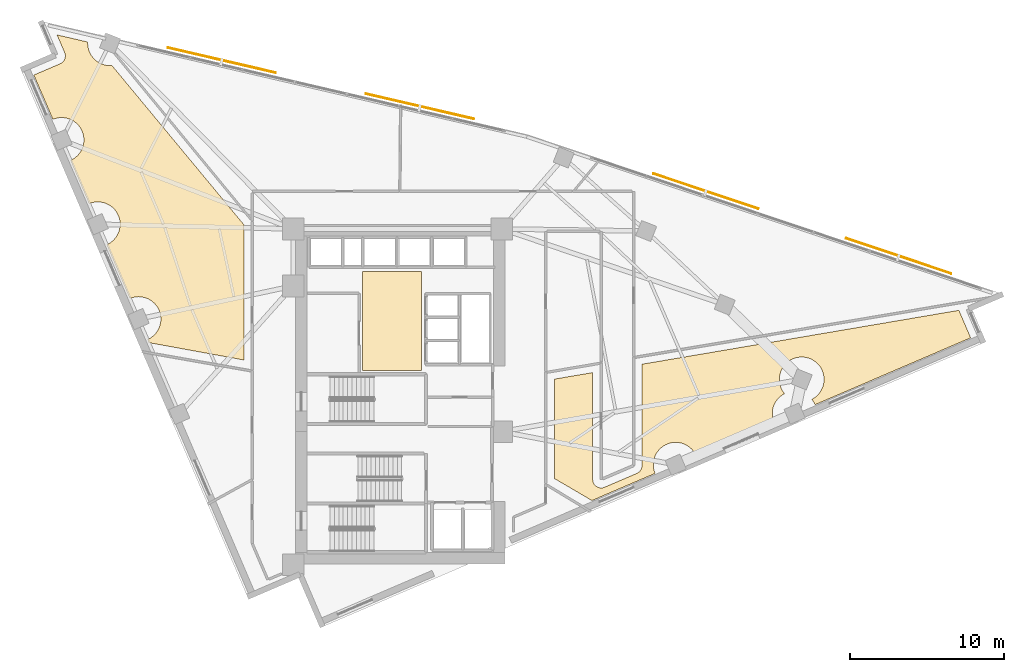
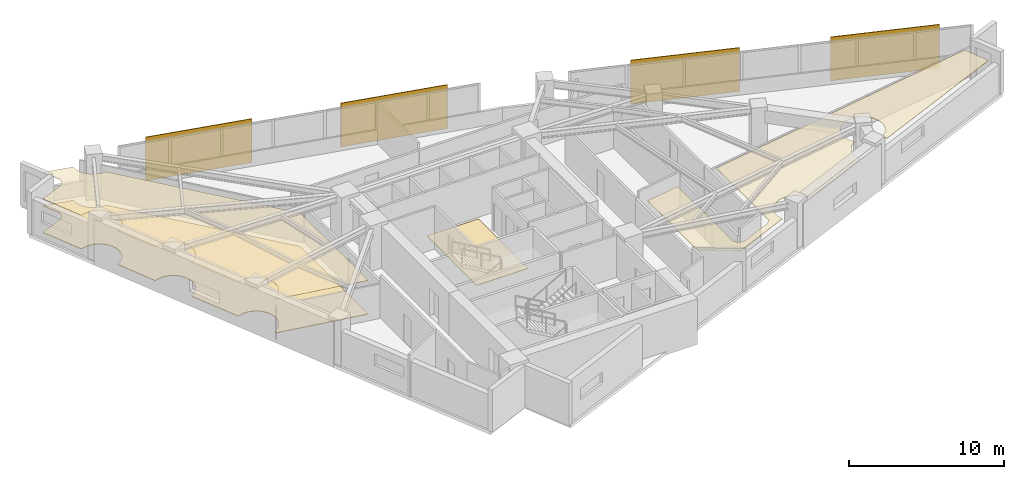
# One storey, part 14 of 14: 4 coverings, 4 shading devices.
"""IFC4 building model written with IfcOpenShell, lengths in metres."""

import ifcopenshell
import ifcopenshell.guid

model = None  # the IFC model being written
_history = None  # IfcOwnerHistory: only IFC2X3 demands one
_inside = {}  # id of a spatial element -> (the spatial element, [elements in it])
_under = {}  # id of a project, library or spatial element -> (it, [spatial elements below it])
_declared = {}  # id of a project -> (the project, [libraries it declares])
_typed = {}  # id of a type object -> (the type object, [elements of that type])
_made_of = {}  # id of a material, layer set ... -> (it, [elements and type objects made of it])


def new_model(schema):
    """Start an empty IFC model of exactly this schema.

    Asked for "IFC4X3", IfcOpenShell would pick the latest addendum, in which some entities
    have other attributes; the version numbers below select the first issue.
    IFC2X3 requires an IfcOwnerHistory on every rooted entity: one is made here for all.
    """
    global model, _history
    if schema == "IFC4X3":
        model = ifcopenshell.file(schema_version=(4, 3, 0, 0))
    else:
        model = ifcopenshell.file(schema=schema)
    _inside.clear()
    _under.clear()
    _declared.clear()
    _typed.clear()
    _made_of.clear()
    _history = None
    if model.schema == "IFC2X3":
        org = make("IfcOrganization", Name="unknown")
        user = make(
            "IfcPersonAndOrganization",
            ThePerson=make("IfcPerson", FamilyName="unknown"),
            TheOrganization=org,
        )
        app = make(
            "IfcApplication",
            ApplicationDeveloper=org,
            Version="unknown",
            ApplicationFullName="unknown",
            ApplicationIdentifier="unknown",
        )
        _history = make(
            "IfcOwnerHistory",
            OwningUser=user,
            OwningApplication=app,
            ChangeAction="ADDED",
            CreationDate=0,
        )
    return model


def make(cls, **values):
    """One entity of the class cls with the attributes given. An attribute that is None is left unset."""
    return model.create_entity(
        cls, **{name: value for name, value in values.items() if value is not None}
    )


def rooted(cls, **values):
    """An entity with a GlobalId (a new one), such as an element, a storey or a relation."""
    return make(cls, GlobalId=ifcopenshell.guid.new(), OwnerHistory=_history, **values)


def si_unit(unit_type, name, prefix=None):
    """IfcSIUnit, for example si_unit("LENGTHUNIT", "METRE", prefix="MILLI")."""
    return make("IfcSIUnit", UnitType=unit_type, Prefix=prefix, Name=name)


def assignment(units):
    """IfcUnitAssignment: the units of a project."""
    return None if units is None else make("IfcUnitAssignment", Units=units)


def point(xyz):
    """IfcCartesianPoint."""
    return None if xyz is None else make("IfcCartesianPoint", Coordinates=xyz)


def direction(xyz):
    """IfcDirection."""
    return None if xyz is None else make("IfcDirection", DirectionRatios=xyz)


def frame(location, z_axis=None, x_axis=None):
    """IfcAxis2Placement3D, a coordinate frame: its origin and axes. An axis left out is left unset."""
    return make(
        "IfcAxis2Placement3D",
        Location=point(location),
        Axis=direction(z_axis),
        RefDirection=direction(x_axis),
    )


def frame_2d(location, x_axis=None):
    """IfcAxis2Placement2D, a coordinate frame in the plane: its origin and x axis."""
    return make(
        "IfcAxis2Placement2D", Location=point(location), RefDirection=direction(x_axis)
    )


def origin():
    """The frame at (0, 0, 0) with its axes left unset."""
    return frame((0.0, 0.0, 0.0))


def origin_2d():
    """The frame at (0, 0) in the plane with its x axis left unset."""
    return frame_2d((0.0, 0.0))


def place(relative_to, where):
    """IfcLocalPlacement: puts the frame where relative to a parent placement (None: the world)."""
    return make(
        "IfcLocalPlacement", PlacementRelTo=relative_to, RelativePlacement=where
    )


def context(
    kind, dimensions, precision=None, world=None, true_north=None, identifier=None
):
    """IfcGeometricRepresentationContext, for example the 3D "Model" context."""
    return make(
        "IfcGeometricRepresentationContext",
        ContextIdentifier=identifier,
        ContextType=kind,
        CoordinateSpaceDimension=dimensions,
        Precision=precision,
        WorldCoordinateSystem=world,
        TrueNorth=true_north,
    )


def subcontext(parent, identifier, kind, view, scale=None):
    """IfcGeometricRepresentationSubContext, for example "Body" below "Model"."""
    return make(
        "IfcGeometricRepresentationSubContext",
        ContextIdentifier=identifier,
        ContextType=kind,
        ParentContext=parent,
        TargetScale=scale,
        TargetView=view,
    )


def project(units=None, contexts=None):
    """IfcProject with its units and contexts."""
    return rooted(
        "IfcProject",
        Name="project",
        RepresentationContexts=contexts,
        UnitsInContext=assignment(units),
    )


def spatial(cls, under=None, at=None, **own):
    """A site, building, storey or space (cls), placed at a placement, below another one or the project."""
    s = rooted(cls, ObjectPlacement=at, **own)
    if under is not None:
        _under.setdefault(under.id(), (under, []))[1].append(s)
    return s


def polyline(points):
    """IfcPolyline through the points."""
    return make("IfcPolyline", Points=[point(p) for p in points])


def profile(cls, at=None, kind="AREA", **sizes):
    """A parametric profile (cls). Its sizes go by their IFC names, for example OverallWidth=200.0."""
    return make(cls, ProfileType=kind, Position=at, **sizes)


def rectangle(**sizes):
    """IfcRectangleProfileDef."""
    return profile("IfcRectangleProfileDef", **sizes)


def outline(outer, holes=None, kind="AREA"):
    """IfcArbitraryClosedProfileDef: a profile drawn as a closed curve; with holes, ...WithVoids."""
    if holes is None:
        return make("IfcArbitraryClosedProfileDef", ProfileType=kind, OuterCurve=outer)
    return make(
        "IfcArbitraryProfileDefWithVoids",
        ProfileType=kind,
        OuterCurve=outer,
        InnerCurves=holes,
    )


def extrude(swept, where, along, depth):
    """IfcExtrudedAreaSolid: the profile swept, set in the frame where, extruded along a direction by depth."""
    return make(
        "IfcExtrudedAreaSolid",
        SweptArea=swept,
        Position=where,
        ExtrudedDirection=direction(along),
        Depth=depth,
    )


def shape(context_of_items, identifier, shape_type, items):
    """IfcShapeRepresentation: the items that make up one representation, for example the "Body"."""
    return make(
        "IfcShapeRepresentation",
        ContextOfItems=context_of_items,
        RepresentationIdentifier=identifier,
        RepresentationType=shape_type,
        Items=items,
    )


def material(Name=None, Category=None):
    """IfcMaterial."""
    return make("IfcMaterial", Name=Name, Category=Category)


def layer(
    of_material, thickness, ventilated=None, Name=None, Category=None, Priority=None
):
    """IfcMaterialLayer: one layer of a wall or slab, of a material (None: an air gap)."""
    return make(
        "IfcMaterialLayer",
        Material=of_material,
        LayerThickness=thickness,
        IsVentilated=ventilated,
        Name=Name,
        Category=Category,
        Priority=Priority,
    )


def layer_set(layers, Name=None):
    """IfcMaterialLayerSet."""
    return make("IfcMaterialLayerSet", MaterialLayers=layers, LayerSetName=Name)


def made_of(thing, what):
    """Note that an element or type object is made of a material, layer set ...; save() writes the relation."""
    if what is not None:
        _made_of.setdefault(what.id(), (what, []))[1].append(thing)
    return thing


def type_object(cls, material=None, **own):
    """A type object (cls), such as IfcWallType, which elements share."""
    return made_of(rooted(cls, **own), material)


def element(
    cls,
    number,
    at=None,
    inside=None,
    cuts=None,
    type_object=None,
    material=None,
    context=None,
    identifier="Body",
    shape_type=None,
    held_by="IfcProductDefinitionShape",
    body=None,
    shapes=None,
    **own,
):
    """One element of the class cls, such as IfcWall. Its Tag is "e" and its number.

    at: its placement. inside: the storey or other place that contains it. cuts: it is an
    opening in that element (IfcRelVoidsElement). A single representation is given by context,
    identifier, shape_type and body (its items); several are given by shapes. held_by: the class
    of the entity that holds the representations. save() writes the other relations.
    """
    e = rooted(cls, Tag="e%d" % number, ObjectPlacement=at, **own)
    if body is not None:
        shapes = [shape(context, identifier, shape_type, body)]
    if shapes is not None:
        e.Representation = make(held_by, Representations=shapes)
    if inside is not None:
        _inside.setdefault(inside.id(), (inside, []))[1].append(e)
    if cuts is not None:
        rooted(
            "IfcRelVoidsElement", RelatingBuildingElement=cuts, RelatedOpeningElement=e
        )
    if type_object is not None:
        _typed.setdefault(type_object.id(), (type_object, []))[1].append(e)
    return made_of(e, material)


def aggregate(whole, parts):
    """IfcRelAggregates: a whole, such as a stair, and the parts it consists of."""
    return rooted("IfcRelAggregates", RelatingObject=whole, RelatedObjects=parts)


def save(model, path):
    """Write the relations noted so far, then the file.

    IfcRelAggregates (storeys below a building ...), IfcRelContainedInSpatialStructure (elements
    in a storey), IfcRelDefinesByType, IfcRelAssociatesMaterial and IfcRelDeclares: one each for
    every whole, place, type object, material and project.
    """
    for whole, parts in _under.values():
        aggregate(whole, parts)
    for where, things in _inside.values():
        rooted(
            "IfcRelContainedInSpatialStructure",
            RelatedElements=things,
            RelatingStructure=where,
        )
    for kind, things in _typed.values():
        rooted("IfcRelDefinesByType", RelatedObjects=things, RelatingType=kind)
    for what, things in _made_of.values():
        rooted("IfcRelAssociatesMaterial", RelatedObjects=things, RelatingMaterial=what)
    for by, libraries in _declared.values():
        rooted("IfcRelDeclares", RelatingContext=by, RelatedDefinitions=libraries)
    model.write(path)


model = new_model("IFC4")

# Units and contexts
model_context = context("Model", 3, precision=1e-05, world=origin(), true_north=direction((0.0, 1.0)))
body_context = subcontext(model_context, "Body", "Model", "MODEL_VIEW")
ifc_project = project(units=[si_unit("LENGTHUNIT", "METRE"), si_unit("AREAUNIT", "SQUARE_METRE"), si_unit("VOLUMEUNIT", "CUBIC_METRE"), si_unit("PLANEANGLEUNIT", "RADIAN"), si_unit("MASSUNIT", "GRAM", prefix="KILO")], contexts=[model_context])

# Site, building, storey
site_placement = place(None, origin())
site = spatial("IfcSite", under=ifc_project, at=site_placement, CompositionType="ELEMENT")
building_placement = place(site_placement, origin())
building = spatial("IfcBuilding", under=site, at=building_placement, Name="Narakoshi Arena Tower", CompositionType="ELEMENT")
storey_placement = place(building_placement, frame((0.0, 0.0, 168.300048828125)))
storey = spatial("IfcBuildingStorey", under=building, at=storey_placement, Name="L45", CompositionType="ELEMENT", Elevation=168.300048828125)

# Coverings
ifc_material_1 = material(Name="Acoustic mineral-fibre ceiling tile")
ifc_layer_1 = layer(ifc_material_1, 0.02001953125)
ifc_layer_set_1 = layer_set([ifc_layer_1], Name="Acoustic mineral-fibre ceiling tile")
covering_type_1 = type_object("IfcCoveringType", Name="COV-CLG-AC20", PredefinedType="CEILING", material=ifc_layer_set_1)
covering_1_placement = place(storey_placement, frame((0.0, 0.0, 2.669921875)))
element("IfcCovering", 1, at=covering_1_placement, inside=storey, type_object=covering_type_1, Name="L45 Suspended Acoustic Ceiling 1", PredefinedType="CEILING", context=body_context, shape_type="SweptSolid", body=[
    extrude(outline(polyline([(56.937255859375, 67.25), (56.983154296875, 67.2783203125), (57.02587890625, 67.31103515625), (57.065673828125, 67.347900390625), (57.101318359375, 67.38818359375), (57.1328125, 67.431884765625), (57.159912109375, 67.478759765625), (57.182373046875, 67.52783203125), (57.199951171875, 67.578857421875), (57.21240234375, 67.63134765625), (57.219482421875, 67.684814453125), (57.2216796875, 67.73876953125), (57.21826171875, 67.792724609375), (57.209716796875, 67.845947265625), (57.19580078125, 67.898193359375), (57.177001953125, 67.94873046875), (56.6845703125, 69.0947265625), (58.675537109375, 68.631103515625), (58.671630859375, 68.55126953125), (58.6787109375, 68.4091796875), (58.69970703125, 68.268310546875), (58.734130859375, 68.13037109375), (58.781982421875, 67.996337890625), (58.843017578125, 67.867919921875), (58.916015625, 67.74560546875), (59.000732421875, 67.63134765625), (59.096435546875, 67.52587890625), (59.201904296875, 67.430419921875), (59.316162109375, 67.345703125), (59.438232421875, 67.2724609375), (59.56689453125, 67.211669921875), (59.70068359375, 67.163818359375), (59.8388671875, 67.129150390625), (59.9794921875, 67.1083984375), (60.12158203125, 67.101318359375), (60.24609375, 67.107421875), (68.8037109375, 56.78125), (68.8037109375, 47.996826171875), (62.638427734375, 49.122802734375), (62.551513671875, 49.3251953125), (62.654052734375, 49.373779296875), (62.776123046875, 49.447021484375), (62.890380859375, 49.531494140625), (62.995849609375, 49.627197265625), (63.09130859375, 49.732666015625), (63.176025390625, 49.846923828125), (63.249267578125, 49.968994140625), (63.31005859375, 50.09765625), (63.358154296875, 50.231689453125), (63.392578125, 50.36962890625), (63.41357421875, 50.510498046875), (63.42041015625, 50.652587890625), (63.41357421875, 50.794677734375), (63.392578125, 50.935302734375), (63.358154296875, 51.073486328125), (63.31005859375, 51.20751953125), (63.249267578125, 51.3359375), (63.176025390625, 51.4580078125), (63.09130859375, 51.572509765625), (62.995849609375, 51.677734375), (62.890380859375, 51.7734375), (62.776123046875, 51.858154296875), (62.654052734375, 51.931396484375), (62.525390625, 51.9921875), (62.391357421875, 52.0400390625), (62.25341796875, 52.07470703125), (62.112548828125, 52.095458984375), (61.970458984375, 52.1025390625), (61.828369140625, 52.095458984375), (61.6875, 52.07470703125), (61.549560546875, 52.0400390625), (61.41552734375, 51.9921875), (61.407470703125, 51.98828125), (59.9072265625, 55.480224609375), (60.009521484375, 55.528564453125), (60.131591796875, 55.601806640625), (60.24609375, 55.6865234375), (60.351318359375, 55.781982421875), (60.447021484375, 55.887451171875), (60.53173828125, 56.001708984375), (60.60498046875, 56.123779296875), (60.665771484375, 56.25244140625), (60.713623046875, 56.386474609375), (60.748291015625, 56.5244140625), (60.76904296875, 56.665283203125), (60.776123046875, 56.807373046875), (60.76904296875, 56.949462890625), (60.748291015625, 57.09033203125), (60.713623046875, 57.228271484375), (60.665771484375, 57.3623046875), (60.60498046875, 57.490966796875), (60.53173828125, 57.613037109375), (60.447021484375, 57.727294921875), (60.351318359375, 57.832763671875), (60.24609375, 57.92822265625), (60.131591796875, 58.012939453125), (60.009521484375, 58.086181640625), (59.881103515625, 58.14697265625), (59.7470703125, 58.195068359375), (59.60888671875, 58.2294921875), (59.46826171875, 58.25048828125), (59.326171875, 58.25732421875), (59.18408203125, 58.25048828125), (59.043212890625, 58.2294921875), (58.9052734375, 58.195068359375), (58.771240234375, 58.14697265625), (58.76318359375, 58.143310546875), (57.556640625, 60.951416015625), (57.6591796875, 60.999755859375), (57.78125, 61.072998046875), (57.8955078125, 61.15771484375), (58.0009765625, 61.253173828125), (58.096435546875, 61.358642578125), (58.18115234375, 61.472900390625), (58.25439453125, 61.594970703125), (58.315185546875, 61.7236328125), (58.36328125, 61.857666015625), (58.397705078125, 61.99560546875), (58.418701171875, 62.136474609375), (58.425537109375, 62.278564453125), (58.418701171875, 62.420654296875), (58.397705078125, 62.561279296875), (58.36328125, 62.699462890625), (58.315185546875, 62.83349609375), (58.25439453125, 62.9619140625), (58.18115234375, 63.083984375), (58.096435546875, 63.198486328125), (58.0009765625, 63.3037109375), (57.8955078125, 63.3994140625), (57.78125, 63.484130859375), (57.6591796875, 63.557373046875), (57.530517578125, 63.6181640625), (57.396484375, 63.666015625), (57.258544921875, 63.70068359375), (57.11767578125, 63.721435546875), (56.9755859375, 63.728515625), (56.83349609375, 63.721435546875), (56.692626953125, 63.70068359375), (56.5546875, 63.666015625), (56.420654296875, 63.6181640625), (56.41259765625, 63.6142578125), (55.1767578125, 66.49072265625), (56.888671875, 67.226318359375), (56.937255859375, 67.25)])), origin(), (0.0, 0.0, 1.0), 0.02001953125),
])
ifc_material_2 = material(Name="Slatted oak acoustic timber baffle", Category="wood")
ifc_layer_2 = layer(ifc_material_2, 0.034912109375)
ifc_layer_set_2 = layer_set([ifc_layer_2], Name="Slatted oak acoustic timber baffle")
covering_type_2 = type_object("IfcCoveringType", Name="COV-CLG-WD35", PredefinedType="CEILING", material=ifc_layer_set_2)
covering_2_placement = place(storey_placement, frame((0.0, 0.0, 2.655029296875)))
element("IfcCovering", 2, at=covering_2_placement, inside=storey, type_object=covering_type_2, Name="L45 Suspended Acoustic Ceiling 2", PredefinedType="CEILING", context=body_context, shape_type="SweptSolid", body=[
    extrude(outline(polyline([(115.2197265625, 51.198486328125), (115.23876953125, 51.14794921875), (115.97412109375, 49.435791015625), (105.87646484375, 45.09765625), (105.828125, 45.199951171875), (105.7548828125, 45.322021484375), (105.670166015625, 45.436279296875), (105.662109375, 45.4453125), (105.693359375, 45.4599609375), (105.8154296875, 45.533203125), (105.9296875, 45.617919921875), (106.03515625, 45.71337890625), (106.130859375, 45.81884765625), (106.215576171875, 45.93310546875), (106.288818359375, 46.055419921875), (106.349609375, 46.183837890625), (106.3974609375, 46.31787109375), (106.431884765625, 46.455810546875), (106.452880859375, 46.5966796875), (106.4599609375, 46.73876953125), (106.452880859375, 46.880859375), (106.431884765625, 47.021728515625), (106.3974609375, 47.15966796875), (106.349609375, 47.293701171875), (106.288818359375, 47.42236328125), (106.215576171875, 47.54443359375), (106.130859375, 47.65869140625), (106.03515625, 47.76416015625), (105.9296875, 47.859619140625), (105.8154296875, 47.9443359375), (105.693359375, 48.017578125), (105.564697265625, 48.078369140625), (105.430908203125, 48.12646484375), (105.292724609375, 48.160888671875), (105.152099609375, 48.181884765625), (105.010009765625, 48.188720703125), (104.867919921875, 48.181884765625), (104.72705078125, 48.160888671875), (104.589111328125, 48.12646484375), (104.455078125, 48.078369140625), (104.326416015625, 48.017578125), (104.204345703125, 47.9443359375), (104.090087890625, 47.859619140625), (103.984619140625, 47.76416015625), (103.888916015625, 47.65869140625), (103.80419921875, 47.54443359375), (103.731201171875, 47.42236328125), (103.67041015625, 47.293701171875), (103.622314453125, 47.15966796875), (103.587890625, 47.021728515625), (103.56689453125, 46.880859375), (103.559814453125, 46.73876953125), (103.56689453125, 46.5966796875), (103.587890625, 46.455810546875), (103.622314453125, 46.31787109375), (103.67041015625, 46.183837890625), (103.731201171875, 46.055419921875), (103.80419921875, 45.93310546875), (103.888916015625, 45.81884765625), (103.897216796875, 45.81005859375), (103.86572265625, 45.79541015625), (103.74365234375, 45.72216796875), (103.62939453125, 45.637451171875), (103.52392578125, 45.541748046875), (103.428466796875, 45.436279296875), (103.34375, 45.322021484375), (103.2705078125, 45.199951171875), (103.209716796875, 45.0712890625), (103.16162109375, 44.9375), (103.127197265625, 44.79931640625), (103.106201171875, 44.65869140625), (103.099365234375, 44.5166015625), (103.106201171875, 44.37451171875), (103.127197265625, 44.233642578125), (103.16162109375, 44.095703125), (103.209716796875, 43.961669921875), (103.21337890625, 43.95361328125), (98.1572265625, 41.78125), (98.10888671875, 41.883544921875), (98.03564453125, 42.005615234375), (97.950927734375, 42.1201171875), (97.85546875, 42.225341796875), (97.75, 42.321044921875), (97.6357421875, 42.40576171875), (97.513671875, 42.47900390625), (97.385009765625, 42.539794921875), (97.2509765625, 42.587646484375), (97.113037109375, 42.622314453125), (96.97216796875, 42.64306640625), (96.830078125, 42.650146484375), (96.68798828125, 42.64306640625), (96.547119140625, 42.622314453125), (96.4091796875, 42.587646484375), (96.275146484375, 42.539794921875), (96.146484375, 42.47900390625), (96.0244140625, 42.40576171875), (95.91015625, 42.321044921875), (95.8046875, 42.225341796875), (95.709228515625, 42.1201171875), (95.62451171875, 42.005615234375), (95.55126953125, 41.883544921875), (95.490478515625, 41.7548828125), (95.4423828125, 41.62109375), (95.407958984375, 41.48291015625), (95.38720703125, 41.34228515625), (95.380126953125, 41.2001953125), (95.38720703125, 41.05810546875), (95.407958984375, 40.917236328125), (95.4423828125, 40.779296875), (95.490478515625, 40.645263671875), (95.494384765625, 40.63720703125), (91.395751953125, 38.876220703125), (88.949951171875, 40.30810546875), (88.949951171875, 46.755859375), (91.4462890625, 47.180419921875), (91.4462890625, 40.244384765625), (91.448974609375, 40.190185546875), (91.45703125, 40.136474609375), (91.47021484375, 40.083740234375), (91.48876953125, 40.03271484375), (91.51220703125, 39.9833984375), (91.540283203125, 39.93701171875), (91.57275390625, 39.8935546875), (91.609375, 39.853515625), (91.64990234375, 39.817138671875), (91.693603515625, 39.78515625), (91.740478515625, 39.757568359375), (91.789794921875, 39.734619140625), (91.841064453125, 39.716796875), (91.89404296875, 39.7041015625), (91.94775390625, 39.696533203125), (92.002197265625, 39.6943359375), (92.056396484375, 39.69775390625), (92.110107421875, 39.706298828125), (92.16259765625, 39.72021484375), (92.21337890625, 39.739013671875), (92.725341796875, 39.958984375), (92.86962890625, 40.02099609375), (94.313232421875, 40.641357421875), (94.361328125, 40.664794921875), (94.40673828125, 40.692626953125), (94.44921875, 40.724853515625), (94.488525390625, 40.760986328125), (94.52392578125, 40.80078125), (94.555419921875, 40.843994140625), (94.582763671875, 40.889892578125), (94.605224609375, 40.938232421875), (94.623046875, 40.98876953125), (94.635986328125, 41.04052734375), (94.6435546875, 41.09326171875), (94.646240234375, 41.146484375), (94.646240234375, 47.724365234375), (115.213623046875, 51.2216796875), (115.2197265625, 51.198486328125)])), origin(), (0.0, 0.0, 1.0), 0.034912109375),
])
ifc_material_3 = material(Name="Raised steel access floor panel", Category="steel")
ifc_layer_3 = layer(ifc_material_3, 0.044921875)
ifc_layer_set_3 = layer_set([ifc_layer_3], Name="Raised steel access floor panel")
covering_type_3 = type_object("IfcCoveringType", Name="COV-FLR-RF45", PredefinedType="FLOORING", material=ifc_layer_set_3)
covering_3_placement = place(storey_placement, origin())
element("IfcCovering", 3, at=covering_3_placement, inside=storey, type_object=covering_type_3, Name="L45 Raised Steel Access Floor", PredefinedType="FLOORING", context=body_context, shape_type="SweptSolid", body=[
    extrude(outline(polyline([(56.937255859375, 67.25), (56.983154296875, 67.2783203125), (57.02587890625, 67.31103515625), (57.065673828125, 67.347900390625), (57.101318359375, 67.38818359375), (57.1328125, 67.431884765625), (57.159912109375, 67.478759765625), (57.182373046875, 67.52783203125), (57.199951171875, 67.578857421875), (57.21240234375, 67.63134765625), (57.219482421875, 67.684814453125), (57.2216796875, 67.73876953125), (57.21826171875, 67.792724609375), (57.209716796875, 67.845947265625), (57.19580078125, 67.898193359375), (57.177001953125, 67.94873046875), (56.6845703125, 69.0947265625), (58.675537109375, 68.631103515625), (58.671630859375, 68.55126953125), (58.6787109375, 68.4091796875), (58.69970703125, 68.268310546875), (58.734130859375, 68.13037109375), (58.781982421875, 67.996337890625), (58.843017578125, 67.867919921875), (58.916015625, 67.74560546875), (59.000732421875, 67.63134765625), (59.096435546875, 67.52587890625), (59.201904296875, 67.430419921875), (59.316162109375, 67.345703125), (59.438232421875, 67.2724609375), (59.56689453125, 67.211669921875), (59.70068359375, 67.163818359375), (59.8388671875, 67.129150390625), (59.9794921875, 67.1083984375), (60.12158203125, 67.101318359375), (60.24609375, 67.107421875), (68.8037109375, 56.78125), (68.8037109375, 47.996826171875), (62.638427734375, 49.122802734375), (62.551513671875, 49.3251953125), (62.654052734375, 49.373779296875), (62.776123046875, 49.447021484375), (62.890380859375, 49.531494140625), (62.995849609375, 49.627197265625), (63.09130859375, 49.732666015625), (63.176025390625, 49.846923828125), (63.249267578125, 49.968994140625), (63.31005859375, 50.09765625), (63.358154296875, 50.231689453125), (63.392578125, 50.36962890625), (63.41357421875, 50.510498046875), (63.42041015625, 50.652587890625), (63.41357421875, 50.794677734375), (63.392578125, 50.935302734375), (63.358154296875, 51.073486328125), (63.31005859375, 51.20751953125), (63.249267578125, 51.3359375), (63.176025390625, 51.4580078125), (63.09130859375, 51.572509765625), (62.995849609375, 51.677734375), (62.890380859375, 51.7734375), (62.776123046875, 51.858154296875), (62.654052734375, 51.931396484375), (62.525390625, 51.9921875), (62.391357421875, 52.0400390625), (62.25341796875, 52.07470703125), (62.112548828125, 52.095458984375), (61.970458984375, 52.1025390625), (61.828369140625, 52.095458984375), (61.6875, 52.07470703125), (61.549560546875, 52.0400390625), (61.41552734375, 51.9921875), (61.407470703125, 51.98828125), (59.9072265625, 55.480224609375), (60.009521484375, 55.528564453125), (60.131591796875, 55.601806640625), (60.24609375, 55.6865234375), (60.351318359375, 55.781982421875), (60.447021484375, 55.887451171875), (60.53173828125, 56.001708984375), (60.60498046875, 56.123779296875), (60.665771484375, 56.25244140625), (60.713623046875, 56.386474609375), (60.748291015625, 56.5244140625), (60.76904296875, 56.665283203125), (60.776123046875, 56.807373046875), (60.76904296875, 56.949462890625), (60.748291015625, 57.09033203125), (60.713623046875, 57.228271484375), (60.665771484375, 57.3623046875), (60.60498046875, 57.490966796875), (60.53173828125, 57.613037109375), (60.447021484375, 57.727294921875), (60.351318359375, 57.832763671875), (60.24609375, 57.92822265625), (60.131591796875, 58.012939453125), (60.009521484375, 58.086181640625), (59.881103515625, 58.14697265625), (59.7470703125, 58.195068359375), (59.60888671875, 58.2294921875), (59.46826171875, 58.25048828125), (59.326171875, 58.25732421875), (59.18408203125, 58.25048828125), (59.043212890625, 58.2294921875), (58.9052734375, 58.195068359375), (58.771240234375, 58.14697265625), (58.76318359375, 58.143310546875), (57.556640625, 60.951416015625), (57.6591796875, 60.999755859375), (57.78125, 61.072998046875), (57.8955078125, 61.15771484375), (58.0009765625, 61.253173828125), (58.096435546875, 61.358642578125), (58.18115234375, 61.472900390625), (58.25439453125, 61.594970703125), (58.315185546875, 61.7236328125), (58.36328125, 61.857666015625), (58.397705078125, 61.99560546875), (58.418701171875, 62.136474609375), (58.425537109375, 62.278564453125), (58.418701171875, 62.420654296875), (58.397705078125, 62.561279296875), (58.36328125, 62.699462890625), (58.315185546875, 62.83349609375), (58.25439453125, 62.9619140625), (58.18115234375, 63.083984375), (58.096435546875, 63.198486328125), (58.0009765625, 63.3037109375), (57.8955078125, 63.3994140625), (57.78125, 63.484130859375), (57.6591796875, 63.557373046875), (57.530517578125, 63.6181640625), (57.396484375, 63.666015625), (57.258544921875, 63.70068359375), (57.11767578125, 63.721435546875), (56.9755859375, 63.728515625), (56.83349609375, 63.721435546875), (56.692626953125, 63.70068359375), (56.5546875, 63.666015625), (56.420654296875, 63.6181640625), (56.41259765625, 63.6142578125), (55.1767578125, 66.49072265625), (56.888671875, 67.226318359375), (56.937255859375, 67.25)])), origin(), (0.0, 0.0, 1.0), 0.044921875),
])
ifc_material_4 = material(Name="Honed granite stone paving", Category="masonry")
ifc_layer_4 = layer(ifc_material_4, 0.030029296875)
ifc_layer_set_4 = layer_set([ifc_layer_4], Name="Honed granite stone paving")
covering_type_4 = type_object("IfcCoveringType", Name="COV-FLR-ST30", PredefinedType="FLOORING", material=ifc_layer_set_4)
covering_4_placement = place(storey_placement, origin())
element("IfcCovering", 4, at=covering_4_placement, inside=storey, type_object=covering_type_4, Name="L45 Lift Lobby Granite Flooring", PredefinedType="FLOORING", context=body_context, shape_type="SweptSolid", body=[
    extrude(outline(polyline([(76.5, 47.300048828125), (80.35009765625, 47.300048828125), (80.35009765625, 53.75), (76.5, 53.75), (76.5, 47.300048828125)])), origin(), (0.0, 0.0, 1.0), 0.030029296875),
])

# Shading devices
ifc_material_5 = material(Name="Perforated bronze ceramic-metal composite")
ifc_layer_5 = layer(ifc_material_5, 0.06005859375)
ifc_layer_set_5 = layer_set([ifc_layer_5], Name="Perforated bronze ceramic-metal composite")
shading_device_type = type_object("IfcShadingDeviceType", Name="SHD-SCR-BRZ2", PredefinedType="USERDEFINED", material=ifc_layer_set_5)
for number, where, z_axis, x_axis, name in (
    (5, (111.30126953125, 54.747314453125, 0.0), (0.0, 0.0, 1.0), (-0.948001964735, 0.318264473134, 0.0), "L45 Perforated Bronze Solar Screen 1-1"),
    (6, (98.78759765625, 58.948486328125, 0.0), (0.0, 0.0, 1.0), (-0.948001964735, 0.318264473134, 0.0), "L45 Perforated Bronze Solar Screen 1-2"),
    (7, (80.23193359375, 64.455078125, 0.0), (0.0, 0.0, 1.0), (-0.973960141659, 0.226719303234, 0.0), "L45 Perforated Bronze Solar Screen 2-1"),
    (8, (67.37548828125, 67.447998046875, 0.0), (0.0, 0.0, 1.0), (-0.973960141659, 0.226719303234, 0.0), "L45 Perforated Bronze Solar Screen 2-2"),
):
    element("IfcShadingDevice", number, at=place(storey_placement, frame(where, z_axis=z_axis, x_axis=x_axis)), inside=storey, type_object=shading_device_type, Name=name, ObjectType="SOLAR SCREEN", PredefinedType="USERDEFINED", context=body_context, shape_type="SweptSolid", body=[
        extrude(rectangle(XDim=7.199951171875, YDim=0.06005859375, at=origin_2d()), origin(), (0.0, 0.0, 1.0), 3.449951171875),
    ])

save(model, "model.ifc")
